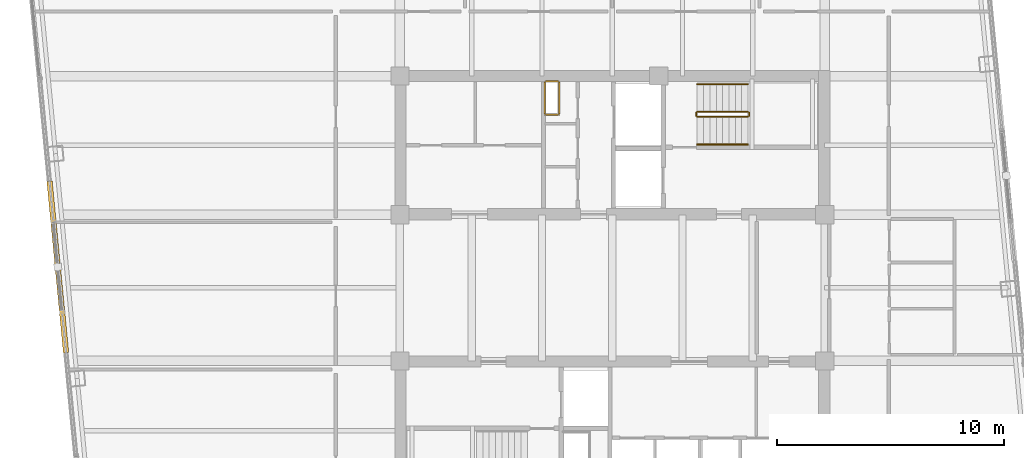
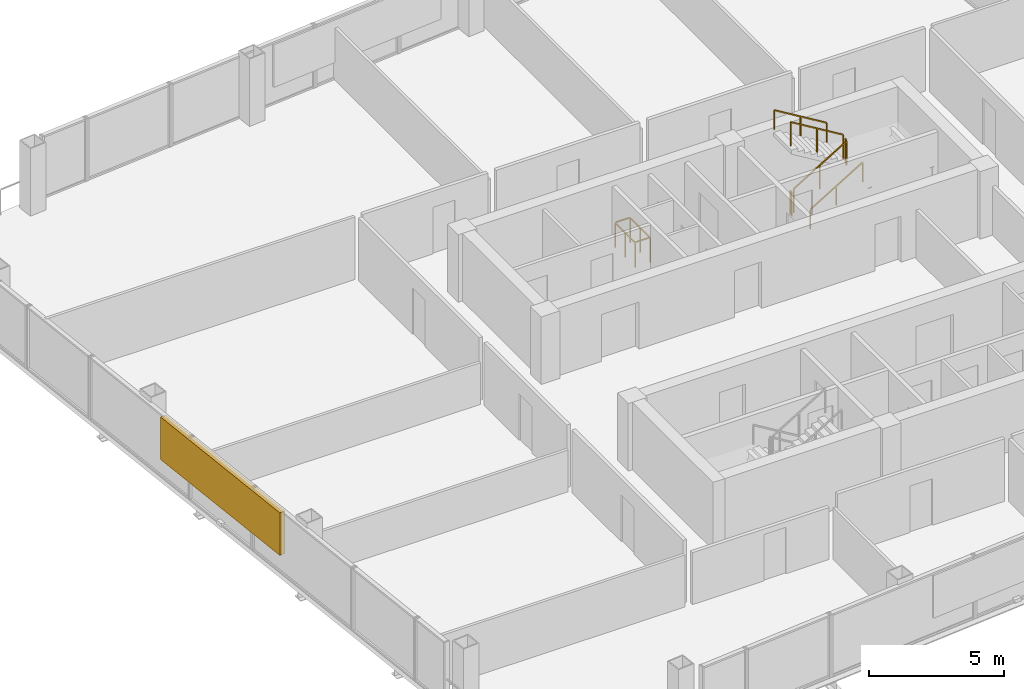
# One storey, part 21 of 22: 7 railings, 1 shading device.
"""IFC4 building model written with IfcOpenShell, lengths in metres."""

from ifc_helpers import new_model, si_unit, direction, frame, origin, origin_2d, place, context, subcontext, project, spatial, rectangle, extrude, material, type_object, element, save


model = new_model("IFC4")

# Units and contexts
model_context = context("Model", 3, precision=1e-05, world=origin(), true_north=direction((0.0, 1.0)))
body_context = subcontext(model_context, "Body", "Model", "MODEL_VIEW")
ifc_project = project(units=[si_unit("LENGTHUNIT", "METRE"), si_unit("AREAUNIT", "SQUARE_METRE"), si_unit("VOLUMEUNIT", "CUBIC_METRE"), si_unit("PLANEANGLEUNIT", "RADIAN"), si_unit("MASSUNIT", "GRAM", prefix="KILO")], contexts=[model_context])

# Site, building, storey
site_placement = place(None, origin())
site = spatial("IfcSite", under=ifc_project, at=site_placement, CompositionType="ELEMENT")
building_placement = place(site_placement, origin())
building = spatial("IfcBuilding", under=site, at=building_placement, Name="Qhalaya Broadcast Tower", CompositionType="ELEMENT")
storey_placement = place(building_placement, frame((0.0, 0.0, 174.449951171875)))
storey = spatial("IfcBuildingStorey", under=building, at=storey_placement, Name="L51", CompositionType="ELEMENT", Elevation=174.449951171875)

# Railings
ifc_material_1 = material(Name="Powder-Coated Galvanised Steel", Category="steel")
railing_type_1 = type_object("IfcRailingType", Name="Stair Wall Handrail 900", PredefinedType="HANDRAIL", material=ifc_material_1)
railing_1_placement = place(storey_placement, frame((3.75, 6.929931640625, 0.16943359375)))
element("IfcRailing", 1, at=railing_1_placement, inside=storey, type_object=railing_type_1, Name="L51 ST-1 Stair Handrail 1", PredefinedType="HANDRAIL", context=body_context, shape_type="SweptSolid", body=[
    extrude(rectangle(XDim=0.048095703125, YDim=0.048095703125, at=origin_2d()), frame((0.0, 0.0, 0.8759765625), z_axis=(0.855512035549, 0.0, 0.517782924622), x_axis=(0.0, 1.0, 0.0)), (0.0, 0.0, 1.0), 2.618408203125),
    extrude(rectangle(XDim=0.0419921875, YDim=0.0419921875, at=origin_2d()), origin(), (0.0, 0.0, 1.0), 0.849853515625),
    extrude(rectangle(XDim=0.0419921875, YDim=0.0419921875, at=origin_2d()), frame((1.1201171875, 0.0, 0.677734375)), (0.0, 0.0, 1.0), 0.849853515625),
    extrude(rectangle(XDim=0.0419921875, YDim=0.0419921875, at=origin_2d()), frame((2.239990234375, 0.0, 1.355712890625)), (0.0, 0.0, 1.0), 0.849853515625),
])
railing_2_placement = place(storey_placement, frame((5.989990234375, 9.590087890625, 1.694580078125)))
element("IfcRailing", 2, at=railing_2_placement, inside=storey, type_object=railing_type_1, Name="L51 ST-1 Stair Handrail 2", PredefinedType="HANDRAIL", context=body_context, shape_type="SweptSolid", body=[
    extrude(rectangle(XDim=0.048095703125, YDim=0.048095703125, at=origin_2d()), frame((0.0, 0.0, 0.8759765625), z_axis=(-0.855553338991, 0.0, 0.51771467445), x_axis=(0.0, -1.0, 0.0)), (0.0, 0.0, 1.0), 2.6181640625),
    extrude(rectangle(XDim=0.0419921875, YDim=0.0419921875, at=origin_2d()), origin(), (0.0, 0.0, 1.0), 0.849853515625),
    extrude(rectangle(XDim=0.0419921875, YDim=0.0419921875, at=origin_2d()), frame((-1.1201171875, 0.0, 0.677734375)), (0.0, 0.0, 1.0), 0.849853515625),
    extrude(rectangle(XDim=0.0419921875, YDim=0.0419921875, at=origin_2d()), frame((-2.239990234375, 0.0, 1.35546875)), (0.0, 0.0, 1.0), 0.849853515625),
])
railing_type_2 = type_object("IfcRailingType", Name="Stair Well & Landing Guardrail 1100", PredefinedType="GUARDRAIL", material=ifc_material_1)
railing_3_placement = place(storey_placement, frame((-2.340087890625, 8.239990234375, 0.0)))
element("IfcRailing", 3, at=railing_3_placement, inside=storey, type_object=railing_type_2, Name="L51 Service Riser Opening Safety Guard NRSR", PredefinedType="GUARDRAIL", context=body_context, shape_type="SweptSolid", body=[
    extrude(rectangle(XDim=0.048095703125, YDim=0.048095703125, at=origin_2d()), frame((0.0, 0.02880859375, 1.1259765625), z_axis=(0.0, 1.0, 0.0), x_axis=(-1.0, 0.0, 0.0)), (0.0, 0.0, 1.0), 1.42236328125),
    extrude(rectangle(XDim=0.048095703125, YDim=0.048095703125, at=origin_2d()), frame((-0.02880859375, 1.47998046875, 1.1259765625), z_axis=(-1.0, 0.0, 0.0), x_axis=(0.0, -1.0, 0.0)), (0.0, 0.0, 1.0), 0.582275390625),
    extrude(rectangle(XDim=0.048095703125, YDim=0.048095703125, at=origin_2d()), frame((-0.639892578125, 1.451171875, 1.1259765625), z_axis=(0.0, -1.0, 0.0), x_axis=(1.0, 0.0, 0.0)), (0.0, 0.0, 1.0), 1.42236328125),
    extrude(rectangle(XDim=0.048095703125, YDim=0.048095703125, at=origin_2d()), frame((-0.611083984375, 0.0, 1.1259765625), z_axis=(1.0, 0.0, 0.0), x_axis=(0.0, 1.0, 0.0)), (0.0, 0.0, 1.0), 0.582275390625),
    extrude(rectangle(XDim=0.0419921875, YDim=0.0419921875, at=origin_2d()), origin(), (0.0, 0.0, 1.0), 1.099853515625),
    extrude(rectangle(XDim=0.0419921875, YDim=0.0419921875, at=origin_2d()), frame((0.0, 0.739990234375, 0.0)), (0.0, 0.0, 1.0), 1.099853515625),
    extrude(rectangle(XDim=0.0419921875, YDim=0.0419921875, at=origin_2d()), frame((0.0, 1.47998046875, 0.0)), (0.0, 0.0, 1.0), 1.099853515625),
    extrude(rectangle(XDim=0.0419921875, YDim=0.0419921875, at=origin_2d()), frame((-0.639892578125, 1.47998046875, 0.0)), (0.0, 0.0, 1.0), 1.099853515625),
    extrude(rectangle(XDim=0.0419921875, YDim=0.0419921875, at=origin_2d()), frame((-0.639892578125, 0.739990234375, 0.0)), (0.0, 0.0, 1.0), 1.099853515625),
    extrude(rectangle(XDim=0.0419921875, YDim=0.0419921875, at=origin_2d()), frame((-0.639892578125, 0.0, 0.0)), (0.0, 0.0, 1.0), 1.099853515625),
])
railing_4_placement = place(storey_placement, frame((3.75, 8.14990234375, 0.16943359375)))
element("IfcRailing", 4, at=railing_4_placement, inside=storey, type_object=railing_type_2, Name="L51 ST-1 Stair Guard 1", PredefinedType="GUARDRAIL", context=body_context, shape_type="SweptSolid", body=[
    extrude(rectangle(XDim=0.048095703125, YDim=0.048095703125, at=origin_2d()), frame((0.0, 0.0, 1.076171875), z_axis=(0.855512035549, 0.0, 0.517782924622), x_axis=(0.0, 1.0, 0.0)), (0.0, 0.0, 1.0), 2.618408203125),
    extrude(rectangle(XDim=0.0419921875, YDim=0.0419921875, at=origin_2d()), origin(), (0.0, 0.0, 1.0), 1.050048828125),
    extrude(rectangle(XDim=0.0419921875, YDim=0.0419921875, at=origin_2d()), frame((1.1201171875, 0.0, 0.677734375)), (0.0, 0.0, 1.0), 1.050048828125),
    extrude(rectangle(XDim=0.0419921875, YDim=0.0419921875, at=origin_2d()), frame((2.239990234375, 0.0, 1.355712890625)), (0.0, 0.0, 1.0), 1.050048828125),
])
railing_5_placement = place(storey_placement, frame((6.0400390625, 8.199951171875, 1.525146484375)))
element("IfcRailing", 5, at=railing_5_placement, inside=storey, type_object=railing_type_2, Name="L51 ST-1 Stair Guard 2", PredefinedType="GUARDRAIL", context=body_context, shape_type="SweptSolid", body=[
    extrude(rectangle(XDim=0.048095703125, YDim=0.048095703125, at=origin_2d()), frame((0.0, 0.0, 1.076171875), z_axis=(0.0, 1.0, 0.0), x_axis=(-1.0, 0.0, 0.0)), (0.0, 0.0, 1.0), 0.1201171875),
    extrude(rectangle(XDim=0.0419921875, YDim=0.0419921875, at=origin_2d()), origin(), (0.0, 0.0, 1.0), 1.050048828125),
    extrude(rectangle(XDim=0.0419921875, YDim=0.0419921875, at=origin_2d()), frame((0.0, 0.1201171875, 0.0)), (0.0, 0.0, 1.0), 1.050048828125),
])
railing_6_placement = place(storey_placement, frame((5.989990234375, 8.3701171875, 1.694580078125)))
element("IfcRailing", 6, at=railing_6_placement, inside=storey, type_object=railing_type_2, Name="L51 ST-1 Stair Guard 3", PredefinedType="GUARDRAIL", context=body_context, shape_type="SweptSolid", body=[
    extrude(rectangle(XDim=0.048095703125, YDim=0.048095703125, at=origin_2d()), frame((0.0, 0.0, 1.076171875), z_axis=(-0.855553338991, 0.0, 0.51771467445), x_axis=(0.0, -1.0, 0.0)), (0.0, 0.0, 1.0), 2.6181640625),
    extrude(rectangle(XDim=0.0419921875, YDim=0.0419921875, at=origin_2d()), origin(), (0.0, 0.0, 1.0), 1.050048828125),
    extrude(rectangle(XDim=0.0419921875, YDim=0.0419921875, at=origin_2d()), frame((-1.1201171875, 0.0, 0.677734375)), (0.0, 0.0, 1.0), 1.050048828125),
    extrude(rectangle(XDim=0.0419921875, YDim=0.0419921875, at=origin_2d()), frame((-2.239990234375, 0.0, 1.35546875)), (0.0, 0.0, 1.0), 1.050048828125),
])
railing_7_placement = place(storey_placement, frame((3.699951171875, 8.199951171875, 0.0)))
element("IfcRailing", 7, at=railing_7_placement, inside=storey, type_object=railing_type_2, Name="L51 ST-1 Stair Guard 4", PredefinedType="GUARDRAIL", context=body_context, shape_type="SweptSolid", body=[
    extrude(rectangle(XDim=0.048095703125, YDim=0.048095703125, at=origin_2d()), frame((0.0, 0.0, 1.076171875), z_axis=(0.0, 1.0, 0.0), x_axis=(-1.0, 0.0, 0.0)), (0.0, 0.0, 1.0), 0.1201171875),
    extrude(rectangle(XDim=0.0419921875, YDim=0.0419921875, at=origin_2d()), origin(), (0.0, 0.0, 1.0), 1.050048828125),
    extrude(rectangle(XDim=0.0419921875, YDim=0.0419921875, at=origin_2d()), frame((0.0, 0.1201171875, 0.0)), (0.0, 0.0, 1.0), 1.050048828125),
])

# Shading device
ifc_material_2 = material(Name="Fired Architectural Terracotta", Category="masonry")
shading_device_type = type_object("IfcShadingDeviceType", Name="Terracotta Baguette Solar Screen Assembly TBS-01", PredefinedType="USERDEFINED", material=ifc_material_2)
shading_device_placement = place(storey_placement, frame((-24.47314453125, 1.5244140625, 0.79248046875), z_axis=(0.0, 0.0, 1.0), x_axis=(0.09584575252, -0.995396198367, 0.0)))
element("IfcShadingDevice", 8, at=shading_device_placement, inside=storey, type_object=shading_device_type, Name="L51 Fired Terracotta Baguette Screen W", ObjectType="BAGUETTE", PredefinedType="USERDEFINED", context=body_context, shape_type="SweptSolid", body=[
    extrude(rectangle(XDim=7.60009765625, YDim=0.239990234375, at=origin_2d()), origin(), (0.0, 0.0, 1.0), 1.924072265625),
])

save(model, "model.ifc")
